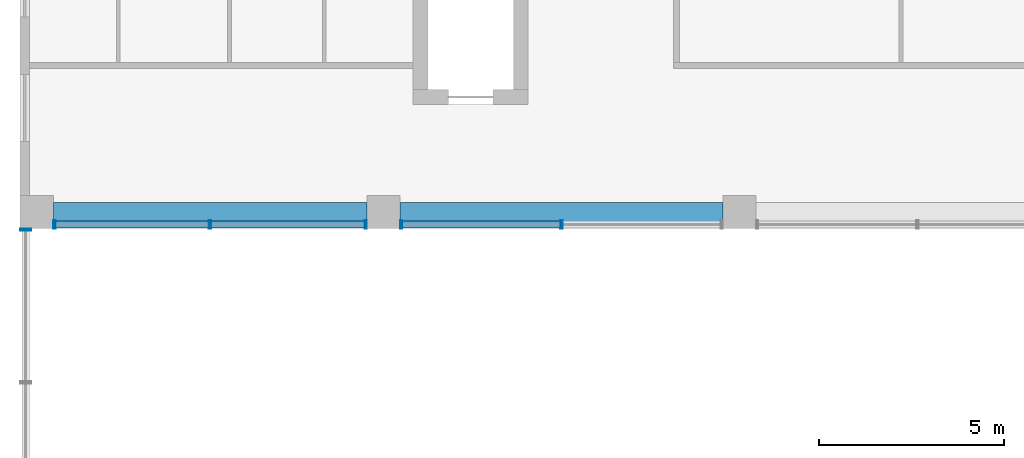
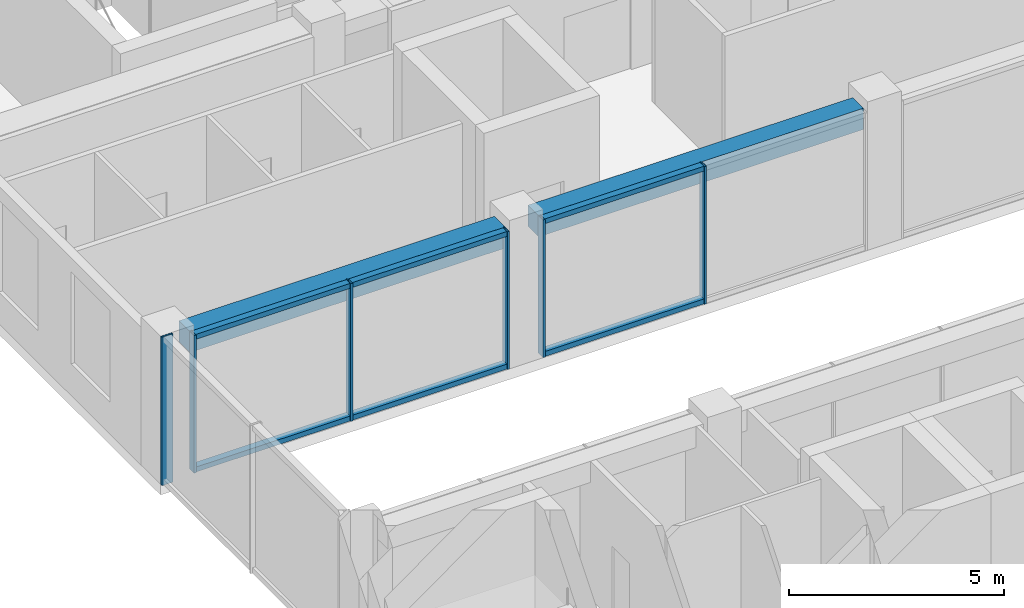
# One storey, part 8 of 38: 12 members, 2 beams, 3 elements without a shape of their own.
"""IFC4 building model written with IfcOpenShell, lengths in metres."""

import ifcopenshell
import ifcopenshell.guid

model = None  # the IFC model being written
_history = None  # IfcOwnerHistory: only IFC2X3 demands one
_inside = {}  # id of a spatial element -> (the spatial element, [elements in it])
_under = {}  # id of a project, library or spatial element -> (it, [spatial elements below it])
_declared = {}  # id of a project -> (the project, [libraries it declares])
_typed = {}  # id of a type object -> (the type object, [elements of that type])
_made_of = {}  # id of a material, layer set ... -> (it, [elements and type objects made of it])


def new_model(schema):
    """Start an empty IFC model of exactly this schema.

    Asked for "IFC4X3", IfcOpenShell would pick the latest addendum, in which some entities
    have other attributes; the version numbers below select the first issue.
    IFC2X3 requires an IfcOwnerHistory on every rooted entity: one is made here for all.
    """
    global model, _history
    if schema == "IFC4X3":
        model = ifcopenshell.file(schema_version=(4, 3, 0, 0))
    else:
        model = ifcopenshell.file(schema=schema)
    _inside.clear()
    _under.clear()
    _declared.clear()
    _typed.clear()
    _made_of.clear()
    _history = None
    if model.schema == "IFC2X3":
        org = make("IfcOrganization", Name="unknown")
        user = make(
            "IfcPersonAndOrganization",
            ThePerson=make("IfcPerson", FamilyName="unknown"),
            TheOrganization=org,
        )
        app = make(
            "IfcApplication",
            ApplicationDeveloper=org,
            Version="unknown",
            ApplicationFullName="unknown",
            ApplicationIdentifier="unknown",
        )
        _history = make(
            "IfcOwnerHistory",
            OwningUser=user,
            OwningApplication=app,
            ChangeAction="ADDED",
            CreationDate=0,
        )
    return model


def make(cls, **values):
    """One entity of the class cls with the attributes given. An attribute that is None is left unset."""
    return model.create_entity(
        cls, **{name: value for name, value in values.items() if value is not None}
    )


def rooted(cls, **values):
    """An entity with a GlobalId (a new one), such as an element, a storey or a relation."""
    return make(cls, GlobalId=ifcopenshell.guid.new(), OwnerHistory=_history, **values)


def si_unit(unit_type, name, prefix=None):
    """IfcSIUnit, for example si_unit("LENGTHUNIT", "METRE", prefix="MILLI")."""
    return make("IfcSIUnit", UnitType=unit_type, Prefix=prefix, Name=name)


def assignment(units):
    """IfcUnitAssignment: the units of a project."""
    return None if units is None else make("IfcUnitAssignment", Units=units)


def point(xyz):
    """IfcCartesianPoint."""
    return None if xyz is None else make("IfcCartesianPoint", Coordinates=xyz)


def direction(xyz):
    """IfcDirection."""
    return None if xyz is None else make("IfcDirection", DirectionRatios=xyz)


def frame(location, z_axis=None, x_axis=None):
    """IfcAxis2Placement3D, a coordinate frame: its origin and axes. An axis left out is left unset."""
    return make(
        "IfcAxis2Placement3D",
        Location=point(location),
        Axis=direction(z_axis),
        RefDirection=direction(x_axis),
    )


def frame_2d(location, x_axis=None):
    """IfcAxis2Placement2D, a coordinate frame in the plane: its origin and x axis."""
    return make(
        "IfcAxis2Placement2D", Location=point(location), RefDirection=direction(x_axis)
    )


def origin():
    """The frame at (0, 0, 0) with its axes left unset."""
    return frame((0.0, 0.0, 0.0))


def origin_2d():
    """The frame at (0, 0) in the plane with its x axis left unset."""
    return frame_2d((0.0, 0.0))


def place(relative_to, where):
    """IfcLocalPlacement: puts the frame where relative to a parent placement (None: the world)."""
    return make(
        "IfcLocalPlacement", PlacementRelTo=relative_to, RelativePlacement=where
    )


def context(
    kind, dimensions, precision=None, world=None, true_north=None, identifier=None
):
    """IfcGeometricRepresentationContext, for example the 3D "Model" context."""
    return make(
        "IfcGeometricRepresentationContext",
        ContextIdentifier=identifier,
        ContextType=kind,
        CoordinateSpaceDimension=dimensions,
        Precision=precision,
        WorldCoordinateSystem=world,
        TrueNorth=true_north,
    )


def subcontext(parent, identifier, kind, view, scale=None):
    """IfcGeometricRepresentationSubContext, for example "Body" below "Model"."""
    return make(
        "IfcGeometricRepresentationSubContext",
        ContextIdentifier=identifier,
        ContextType=kind,
        ParentContext=parent,
        TargetScale=scale,
        TargetView=view,
    )


def project(units=None, contexts=None):
    """IfcProject with its units and contexts."""
    return rooted(
        "IfcProject",
        Name="project",
        RepresentationContexts=contexts,
        UnitsInContext=assignment(units),
    )


def spatial(cls, under=None, at=None, **own):
    """A site, building, storey or space (cls), placed at a placement, below another one or the project."""
    s = rooted(cls, ObjectPlacement=at, **own)
    if under is not None:
        _under.setdefault(under.id(), (under, []))[1].append(s)
    return s


def profile(cls, at=None, kind="AREA", **sizes):
    """A parametric profile (cls). Its sizes go by their IFC names, for example OverallWidth=200.0."""
    return make(cls, ProfileType=kind, Position=at, **sizes)


def rectangle(**sizes):
    """IfcRectangleProfileDef."""
    return profile("IfcRectangleProfileDef", **sizes)


def hollow_rectangle(**sizes):
    """IfcRectangleHollowProfileDef."""
    return profile("IfcRectangleHollowProfileDef", **sizes)


def extrude(swept, where, along, depth):
    """IfcExtrudedAreaSolid: the profile swept, set in the frame where, extruded along a direction by depth."""
    return make(
        "IfcExtrudedAreaSolid",
        SweptArea=swept,
        Position=where,
        ExtrudedDirection=direction(along),
        Depth=depth,
    )


def shape(context_of_items, identifier, shape_type, items):
    """IfcShapeRepresentation: the items that make up one representation, for example the "Body"."""
    return make(
        "IfcShapeRepresentation",
        ContextOfItems=context_of_items,
        RepresentationIdentifier=identifier,
        RepresentationType=shape_type,
        Items=items,
    )


def material(Name=None, Category=None):
    """IfcMaterial."""
    return make("IfcMaterial", Name=Name, Category=Category)


def layer(
    of_material, thickness, ventilated=None, Name=None, Category=None, Priority=None
):
    """IfcMaterialLayer: one layer of a wall or slab, of a material (None: an air gap)."""
    return make(
        "IfcMaterialLayer",
        Material=of_material,
        LayerThickness=thickness,
        IsVentilated=ventilated,
        Name=Name,
        Category=Category,
        Priority=Priority,
    )


def layer_set(layers, Name=None):
    """IfcMaterialLayerSet."""
    return make("IfcMaterialLayerSet", MaterialLayers=layers, LayerSetName=Name)


def material_profile(
    of_material, cross_section, Name=None, Category=None, Priority=None
):
    """IfcMaterialProfile: a cross section and its material."""
    return make(
        "IfcMaterialProfile",
        Name=Name,
        Material=of_material,
        Profile=cross_section,
        Priority=Priority,
        Category=Category,
    )


def profile_set(profiles, Name=None, composite=None):
    """IfcMaterialProfileSet."""
    return make(
        "IfcMaterialProfileSet",
        Name=Name,
        MaterialProfiles=profiles,
        CompositeProfile=composite,
    )


def made_of(thing, what):
    """Note that an element or type object is made of a material, layer set ...; save() writes the relation."""
    if what is not None:
        _made_of.setdefault(what.id(), (what, []))[1].append(thing)
    return thing


def type_object(cls, material=None, **own):
    """A type object (cls), such as IfcWallType, which elements share."""
    return made_of(rooted(cls, **own), material)


def element(
    cls,
    number,
    at=None,
    inside=None,
    cuts=None,
    type_object=None,
    material=None,
    context=None,
    identifier="Body",
    shape_type=None,
    held_by="IfcProductDefinitionShape",
    body=None,
    shapes=None,
    **own,
):
    """One element of the class cls, such as IfcWall. Its Tag is "e" and its number.

    at: its placement. inside: the storey or other place that contains it. cuts: it is an
    opening in that element (IfcRelVoidsElement). A single representation is given by context,
    identifier, shape_type and body (its items); several are given by shapes. held_by: the class
    of the entity that holds the representations. save() writes the other relations.
    """
    e = rooted(cls, Tag="e%d" % number, ObjectPlacement=at, **own)
    if body is not None:
        shapes = [shape(context, identifier, shape_type, body)]
    if shapes is not None:
        e.Representation = make(held_by, Representations=shapes)
    if inside is not None:
        _inside.setdefault(inside.id(), (inside, []))[1].append(e)
    if cuts is not None:
        rooted(
            "IfcRelVoidsElement", RelatingBuildingElement=cuts, RelatedOpeningElement=e
        )
    if type_object is not None:
        _typed.setdefault(type_object.id(), (type_object, []))[1].append(e)
    return made_of(e, material)


def aggregate(whole, parts):
    """IfcRelAggregates: a whole, such as a stair, and the parts it consists of."""
    return rooted("IfcRelAggregates", RelatingObject=whole, RelatedObjects=parts)


def save(model, path):
    """Write the relations noted so far, then the file.

    IfcRelAggregates (storeys below a building ...), IfcRelContainedInSpatialStructure (elements
    in a storey), IfcRelDefinesByType, IfcRelAssociatesMaterial and IfcRelDeclares: one each for
    every whole, place, type object, material and project.
    """
    for whole, parts in _under.values():
        aggregate(whole, parts)
    for where, things in _inside.values():
        rooted(
            "IfcRelContainedInSpatialStructure",
            RelatedElements=things,
            RelatingStructure=where,
        )
    for kind, things in _typed.values():
        rooted("IfcRelDefinesByType", RelatedObjects=things, RelatingType=kind)
    for what, things in _made_of.values():
        rooted("IfcRelAssociatesMaterial", RelatedObjects=things, RelatingMaterial=what)
    for by, libraries in _declared.values():
        rooted("IfcRelDeclares", RelatingContext=by, RelatedDefinitions=libraries)
    model.write(path)


model = new_model("IFC4")

# Units and contexts
model_context = context("Model", 3, precision=1e-05, world=origin(), true_north=direction((0.0, 1.0)))
body_context = subcontext(model_context, "Body", "Model", "MODEL_VIEW")
ifc_project = project(units=[si_unit("LENGTHUNIT", "METRE"), si_unit("AREAUNIT", "SQUARE_METRE"), si_unit("VOLUMEUNIT", "CUBIC_METRE"), si_unit("PLANEANGLEUNIT", "RADIAN"), si_unit("MASSUNIT", "GRAM", prefix="KILO")], contexts=[model_context])

# Site, building, storey
site_placement = place(None, origin())
site = spatial("IfcSite", under=ifc_project, at=site_placement, CompositionType="ELEMENT")
building_placement = place(site_placement, origin())
building = spatial("IfcBuilding", under=site, at=building_placement, Name="Nzadi Deep Aquarium and Research Tower", CompositionType="ELEMENT")
storey_placement = place(building_placement, frame((0.0, 0.0, 65.5)))
storey = spatial("IfcBuildingStorey", under=building, at=storey_placement, Name="L13", CompositionType="ELEMENT", Elevation=65.5)

# Curtain wall, members
ifc_material_1 = material(Name="Aluminium unitised frame deep", Category="aluminium")
ifc_layer_1 = layer(ifc_material_1, 0.22509765625)
ifc_layer_set_1 = layer_set([ifc_layer_1], Name="Aluminium unitised frame deep")
curtain_wall_type_1 = type_object("IfcCurtainWallType", Name="Curtain wall Unitised Deep 225", PredefinedType="NOTDEFINED", material=ifc_layer_set_1)
curtain_wall_1_placement = place(storey_placement, origin())
curtain_wall_1 = element("IfcCurtainWall", 1, at=curtain_wall_1_placement, inside=storey, type_object=curtain_wall_type_1, Name="Unitised curtain wall blade B south L13", PredefinedType="NOTDEFINED")
ifc_material_2 = material(Name="Aluminium unitised frame deep", Category="aluminium")
ifc_material_profile_1 = material_profile(ifc_material_2, hollow_rectangle(XDim=0.22509765625, YDim=0.06005859375, WallThickness=0.0048828125, at=origin_2d()))
ifc_profile_set_1 = profile_set([ifc_material_profile_1], Name="Aluminium unitised frame deep")
member_type_1 = type_object("IfcMemberType", Name="Mullion 60x225 Unitised Deep", PredefinedType="MULLION", material=ifc_profile_set_1)
member_1_placement = place(storey_placement, frame((0.72998046875, 27.262451171875, 0.0), z_axis=(0.0, 0.0, 1.0), x_axis=(0.0, 1.0, 0.0)))
member_1 = element("IfcMember", 2, at=member_1_placement, type_object=member_type_1, Name="CW164 mullion 1", PredefinedType="MULLION", context=body_context, shape_type="SweptSolid", body=[
    extrude(hollow_rectangle(XDim=0.22509765625, YDim=0.06005859375, WallThickness=0.0048828125, at=origin_2d()), origin(), (0.0, 0.0, 1.0), 3.89990234375),
])
member_2_placement = place(storey_placement, frame((4.925048828125, 27.262451171875, 0.0), z_axis=(0.0, 0.0, 1.0), x_axis=(0.0, 1.0, 0.0)))
member_2 = element("IfcMember", 3, at=member_2_placement, type_object=member_type_1, Name="CW164 mullion 2", PredefinedType="MULLION", context=body_context, shape_type="SweptSolid", body=[
    extrude(hollow_rectangle(XDim=0.22509765625, YDim=0.06005859375, WallThickness=0.0048828125, at=origin_2d()), origin(), (0.0, 0.0, 1.0), 3.89990234375),
])
member_3_placement = place(storey_placement, frame((9.1201171875, 27.262451171875, 0.0), z_axis=(0.0, 0.0, 1.0), x_axis=(0.0, 1.0, 0.0)))
member_3 = element("IfcMember", 4, at=member_3_placement, type_object=member_type_1, Name="CW164 mullion 3", PredefinedType="MULLION", context=body_context, shape_type="SweptSolid", body=[
    extrude(hollow_rectangle(XDim=0.22509765625, YDim=0.06005859375, WallThickness=0.0048828125, at=origin_2d()), origin(), (0.0, 0.0, 1.0), 3.89990234375),
])

curtain_wall_2_placement = place(storey_placement, origin())
curtain_wall_2 = element("IfcCurtainWall", 5, at=curtain_wall_2_placement, inside=storey, type_object=curtain_wall_type_1, Name="Unitised curtain wall blade B south L13", PredefinedType="NOTDEFINED")
member_4_placement = place(storey_placement, frame((10.080078125, 27.262451171875, 0.0), z_axis=(0.0, 0.0, 1.0), x_axis=(0.0, 1.0, 0.0)))
member_4 = element("IfcMember", 6, at=member_4_placement, type_object=member_type_1, Name="CW165 mullion 1", PredefinedType="MULLION", context=body_context, shape_type="SweptSolid", body=[
    extrude(hollow_rectangle(XDim=0.22509765625, YDim=0.06005859375, WallThickness=0.0048828125, at=origin_2d()), origin(), (0.0, 0.0, 1.0), 3.89990234375),
])
member_5_placement = place(storey_placement, frame((14.39990234375, 27.262451171875, 0.0), z_axis=(0.0, 0.0, 1.0), x_axis=(0.0, 1.0, 0.0)))
member_5 = element("IfcMember", 7, at=member_5_placement, type_object=member_type_1, Name="CW165 mullion 2", PredefinedType="MULLION", context=body_context, shape_type="SweptSolid", body=[
    extrude(hollow_rectangle(XDim=0.22509765625, YDim=0.06005859375, WallThickness=0.0048828125, at=origin_2d()), origin(), (0.0, 0.0, 1.0), 3.89990234375),
])

# Curtain wall, member
ifc_material_3 = material(Name="Aluminium unitised frame wind post", Category="aluminium")
ifc_layer_2 = layer(ifc_material_3, 0.300048828125)
ifc_layer_set_2 = layer_set([ifc_layer_2], Name="Aluminium unitised frame wind post")
curtain_wall_type_2 = type_object("IfcCurtainWallType", Name="Curtain wall Slot End 300", PredefinedType="NOTDEFINED", material=ifc_layer_set_2)
curtain_wall_3_placement = place(storey_placement, origin())
curtain_wall_3 = element("IfcCurtainWall", 8, at=curtain_wall_3_placement, inside=storey, type_object=curtain_wall_type_2, Name="Glazed slot end west L13", PredefinedType="NOTDEFINED")
ifc_material_4 = material(Name="Aluminium unitised frame wind post", Category="aluminium")
ifc_material_profile_2 = material_profile(ifc_material_4, hollow_rectangle(XDim=0.300048828125, YDim=0.06005859375, WallThickness=0.0048828125, at=origin_2d()))
ifc_profile_set_2 = profile_set([ifc_material_profile_2], Name="Aluminium unitised frame wind post")
member_type_2 = type_object("IfcMemberType", Name="Mullion 60x300 Slot End", PredefinedType="MULLION", material=ifc_profile_set_2)
member_6_placement = place(storey_placement, frame((-0.049560546875, 27.1201171875, 0.0), z_axis=(0.0, 0.0, 1.0), x_axis=(-1.0, 0.0, 0.0)))
member_6 = element("IfcMember", 9, at=member_6_placement, type_object=member_type_2, Name="CW217 mullion 3", PredefinedType="MULLION", context=body_context, shape_type="SweptSolid", body=[
    extrude(hollow_rectangle(XDim=0.300048828125, YDim=0.06005859375, WallThickness=0.0048828125, at=origin_2d()), origin(), (0.0, 0.0, 1.0), 4.199951171875),
])
aggregate(curtain_wall_3, [member_6])

# Beams
ifc_material_5 = material(Name="Concrete C35/45", Category="concrete")
ifc_material_profile_3 = material_profile(ifc_material_5, rectangle(XDim=0.5, YDim=0.60009765625, at=origin_2d()))
ifc_profile_set_3 = profile_set([ifc_material_profile_3], Name="Concrete C35/45")
beam_type = type_object("IfcBeamType", Name="RC 500x600", PredefinedType="BEAM", material=ifc_profile_set_3)
beam_1_placement = place(storey_placement, frame((0.699951171875, 27.60009765625, 3.60009765625), z_axis=(1.0, 0.0, 0.0), x_axis=(0.0, 1.0, 0.0)))
element("IfcBeam", 10, at=beam_1_placement, inside=storey, type_object=beam_type, Name="B-Z1-L13-L4-1", PredefinedType="BEAM", context=body_context, shape_type="SweptSolid", body=[
    extrude(rectangle(XDim=0.5, YDim=0.60009765625, at=origin_2d()), origin(), (0.0, 0.0, 1.0), 8.449951171875),
])
beam_2_placement = place(storey_placement, frame((10.050048828125, 27.60009765625, 3.60009765625), z_axis=(1.0, 0.0, 0.0), x_axis=(0.0, 1.0, 0.0)))
element("IfcBeam", 11, at=beam_2_placement, inside=storey, type_object=beam_type, Name="B-Z1-L13-L4-2", PredefinedType="BEAM", context=body_context, shape_type="SweptSolid", body=[
    extrude(rectangle(XDim=0.5, YDim=0.60009765625, at=origin_2d()), origin(), (0.0, 0.0, 1.0), 8.699951171875),
])

# Member
ifc_material_6 = material(Name="Aluminium unitised frame deep", Category="aluminium")
ifc_material_profile_4 = material_profile(ifc_material_6, hollow_rectangle(XDim=0.179931640625, YDim=0.139892578125, WallThickness=0.0048828125, at=origin_2d()))
ifc_profile_set_4 = profile_set([ifc_material_profile_4], Name="Aluminium unitised frame deep")
member_type_3 = type_object("IfcMemberType", Name="Transom 140x180 Unitised Deep", PredefinedType="MULLION", material=ifc_profile_set_4)
member_7_placement = place(storey_placement, frame((0.760009765625, 27.262451171875, 0.070068359375), z_axis=(1.0, 0.0, 0.0), x_axis=(0.0, 1.0, 0.0)))
member_7 = element("IfcMember", 12, at=member_7_placement, type_object=member_type_3, Name="CW164 transom 1.1", PredefinedType="MULLION", context=body_context, shape_type="SweptSolid", body=[
    extrude(hollow_rectangle(XDim=0.179931640625, YDim=0.139892578125, WallThickness=0.0048828125, at=origin_2d()), origin(), (0.0, 0.0, 1.0), 4.135009765625),
])

member_8_placement = place(storey_placement, frame((0.760009765625, 27.262451171875, 3.830078125), z_axis=(1.0, 0.0, 0.0), x_axis=(0.0, 1.0, 0.0)))
member_8 = element("IfcMember", 13, at=member_8_placement, type_object=member_type_3, Name="CW164 transom 1.2", PredefinedType="MULLION", context=body_context, shape_type="SweptSolid", body=[
    extrude(hollow_rectangle(XDim=0.179931640625, YDim=0.139892578125, WallThickness=0.0048828125, at=origin_2d()), origin(), (0.0, 0.0, 1.0), 4.135009765625),
])

member_9_placement = place(storey_placement, frame((4.955078125, 27.262451171875, 0.070068359375), z_axis=(1.0, 0.0, 0.0), x_axis=(0.0, 1.0, 0.0)))
member_9 = element("IfcMember", 14, at=member_9_placement, type_object=member_type_3, Name="CW164 transom 2.1", PredefinedType="MULLION", context=body_context, shape_type="SweptSolid", body=[
    extrude(hollow_rectangle(XDim=0.179931640625, YDim=0.139892578125, WallThickness=0.0048828125, at=origin_2d()), origin(), (0.0, 0.0, 1.0), 4.135009765625),
])

member_10_placement = place(storey_placement, frame((4.955078125, 27.262451171875, 3.830078125), z_axis=(1.0, 0.0, 0.0), x_axis=(0.0, 1.0, 0.0)))
member_10 = element("IfcMember", 15, at=member_10_placement, type_object=member_type_3, Name="CW164 transom 2.2", PredefinedType="MULLION", context=body_context, shape_type="SweptSolid", body=[
    extrude(hollow_rectangle(XDim=0.179931640625, YDim=0.139892578125, WallThickness=0.0048828125, at=origin_2d()), origin(), (0.0, 0.0, 1.0), 4.135009765625),
])

aggregate(curtain_wall_1, [member_1, member_2, member_3, member_7, member_8, member_9, member_10])

member_11_placement = place(storey_placement, frame((10.110107421875, 27.262451171875, 0.070068359375), z_axis=(1.0, 0.0, 0.0), x_axis=(0.0, 1.0, 0.0)))
member_11 = element("IfcMember", 16, at=member_11_placement, type_object=member_type_3, Name="CW165 transom 1.1", PredefinedType="MULLION", context=body_context, shape_type="SweptSolid", body=[
    extrude(hollow_rectangle(XDim=0.179931640625, YDim=0.139892578125, WallThickness=0.0048828125, at=origin_2d()), origin(), (0.0, 0.0, 1.0), 4.260009765625),
])

member_12_placement = place(storey_placement, frame((10.110107421875, 27.262451171875, 3.830078125), z_axis=(1.0, 0.0, 0.0), x_axis=(0.0, 1.0, 0.0)))
member_12 = element("IfcMember", 17, at=member_12_placement, type_object=member_type_3, Name="CW165 transom 1.2", PredefinedType="MULLION", context=body_context, shape_type="SweptSolid", body=[
    extrude(hollow_rectangle(XDim=0.179931640625, YDim=0.139892578125, WallThickness=0.0048828125, at=origin_2d()), origin(), (0.0, 0.0, 1.0), 4.260009765625),
])

aggregate(curtain_wall_2, [member_4, member_5, member_11, member_12])

save(model, "model.ifc")
